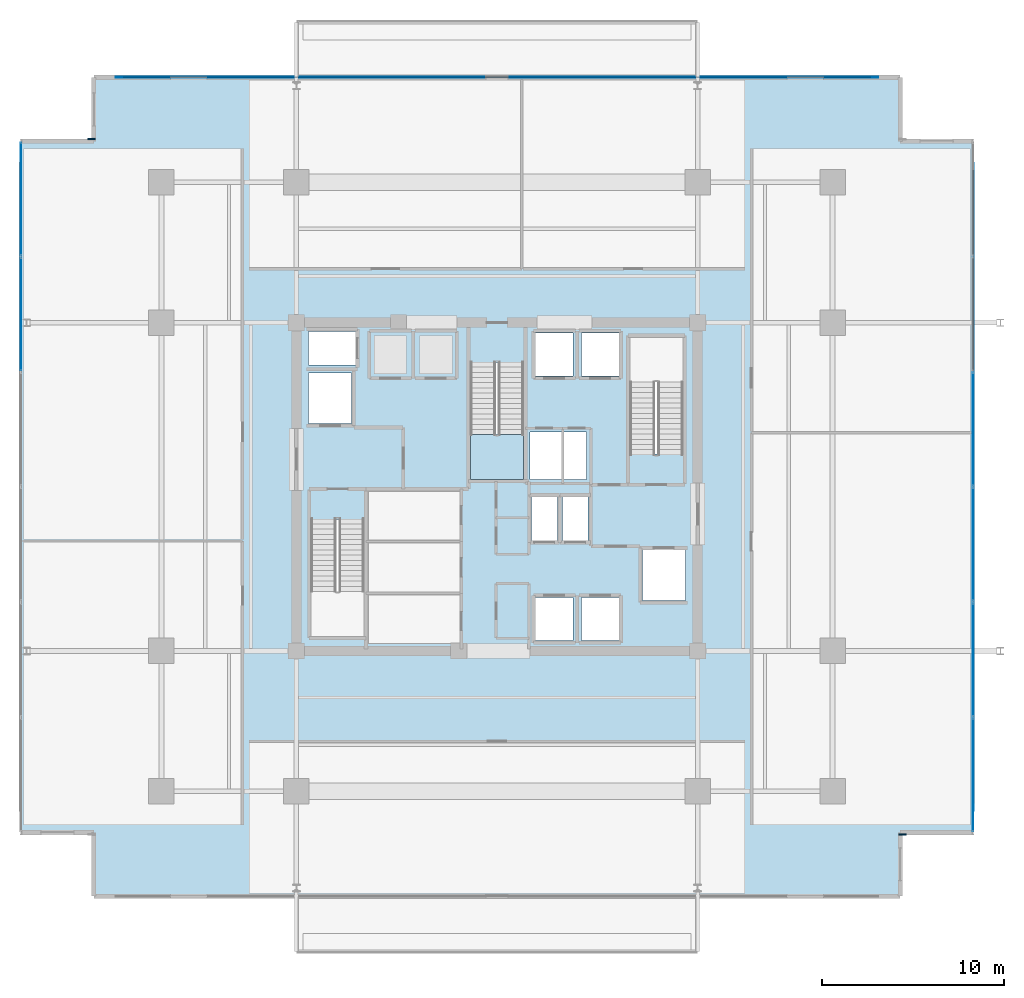
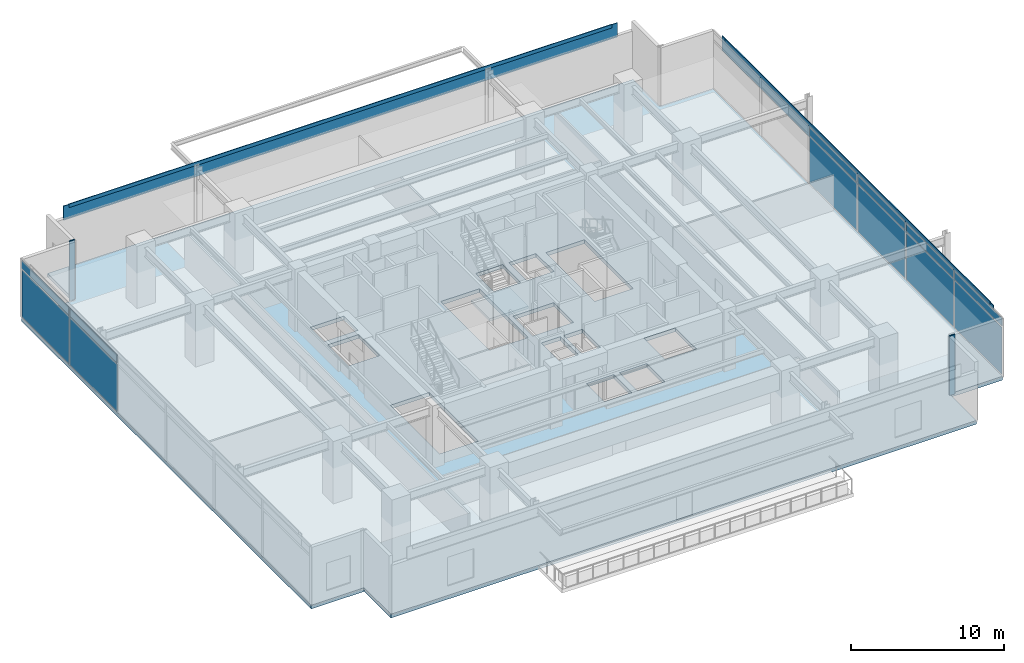
# One storey, part 14 of 25: 18 plates, 2 slabs, 3 elements without a shape of their own.
"""IFC4 building model written with IfcOpenShell, lengths in metres."""

from ifc_helpers import new_model, si_unit, direction, frame, origin, origin_2d, place, context, subcontext, project, spatial, polyline, rectangle, outline, extrude, material, layer, layer_set, type_object, element, aggregate, save


model = new_model("IFC4")

# Units and contexts
model_context = context("Model", 3, precision=1e-05, world=origin(), true_north=direction((0.0, 1.0)))
body_context = subcontext(model_context, "Body", "Model", "MODEL_VIEW")
ifc_project = project(units=[si_unit("LENGTHUNIT", "METRE"), si_unit("AREAUNIT", "SQUARE_METRE"), si_unit("VOLUMEUNIT", "CUBIC_METRE"), si_unit("PLANEANGLEUNIT", "RADIAN"), si_unit("MASSUNIT", "GRAM", prefix="KILO")], contexts=[model_context])

# Site, building, storey
site_placement = place(None, origin())
site = spatial("IfcSite", under=ifc_project, at=site_placement, CompositionType="ELEMENT")
building_placement = place(site_placement, origin())
building = spatial("IfcBuilding", under=site, at=building_placement, Name="Kovane Verandah Tower", CompositionType="ELEMENT")
storey_placement = place(building_placement, frame((0.0, 0.0, 233.199951171875)))
storey = spatial("IfcBuildingStorey", under=building, at=storey_placement, Name="L54", CompositionType="ELEMENT", Elevation=233.199951171875)

# Curtain wall, plates
ifc_material_1 = material(Name="Champagne Anodised Aluminium Frame with Low-E Clear Laminated Glass", Category="aluminium")
curtain_wall_type = type_object("IfcCurtainWallType", Name="CW-SYS-03-MID", PredefinedType="NOTDEFINED", material=ifc_material_1)
curtain_wall_1_placement = place(storey_placement, origin())
curtain_wall_1 = element("IfcCurtainWall", 1, at=curtain_wall_1_placement, inside=storey, type_object=curtain_wall_type, Name="L54 E Unitised Curtain Wall", PredefinedType="NOTDEFINED")
ifc_material_2 = material(Name="Pale Champagne Anodised Aluminium Insulated Spandrel", Category="aluminium")
ifc_layer_1 = layer(ifc_material_2, 0.0400390625)
ifc_layer_set_1 = layer_set([ifc_layer_1], Name="Pale Champagne Anodised Aluminium Insulated Spandrel")
plate_type_1 = type_object("IfcPlateType", Name="PL-CW-SPD-40", PredefinedType="SHEET", material=ifc_layer_set_1)
plate_1_placement = place(storey_placement, frame((66.107177734375, 11.708740234375, 3.97021484375), z_axis=(0.0, 0.0, 1.0), x_axis=(0.0, 1.0, 0.0)))
plate_1 = element("IfcPlate", 2, at=plate_1_placement, type_object=plate_type_1, Name="L54 E Unitised Curtain Wall Spandrel Panel 1", PredefinedType="SHEET", context=body_context, shape_type="SweptSolid", body=[
    extrude(rectangle(XDim=6.176513671875, YDim=0.0400390625, at=origin_2d()), origin(), (0.0, 0.0, 1.0), 0.639892578125),
])
plate_2_placement = place(storey_placement, frame((66.107177734375, 18.025146484375, 3.97021484375), z_axis=(0.0, 0.0, 1.0), x_axis=(0.0, 1.0, 0.0)))
plate_2 = element("IfcPlate", 3, at=plate_2_placement, type_object=plate_type_1, Name="L54 E Unitised Curtain Wall Spandrel Panel 2", PredefinedType="SHEET", context=body_context, shape_type="SweptSolid", body=[
    extrude(rectangle(XDim=6.176513671875, YDim=0.0400390625, at=origin_2d()), origin(), (0.0, 0.0, 1.0), 0.639892578125),
])
plate_3_placement = place(storey_placement, frame((66.107177734375, 24.341796875, 3.97021484375), z_axis=(0.0, 0.0, 1.0), x_axis=(0.0, 1.0, 0.0)))
plate_3 = element("IfcPlate", 4, at=plate_3_placement, type_object=plate_type_1, Name="L54 E Unitised Curtain Wall Spandrel Panel 3", PredefinedType="SHEET", context=body_context, shape_type="SweptSolid", body=[
    extrude(rectangle(XDim=6.176513671875, YDim=0.0400390625, at=origin_2d()), origin(), (0.0, 0.0, 1.0), 0.639892578125),
])
plate_4_placement = place(storey_placement, frame((66.107177734375, 30.658203125, 3.97021484375), z_axis=(0.0, 0.0, 1.0), x_axis=(0.0, 1.0, 0.0)))
plate_4 = element("IfcPlate", 5, at=plate_4_placement, type_object=plate_type_1, Name="L54 E Unitised Curtain Wall Spandrel Panel 4", PredefinedType="SHEET", context=body_context, shape_type="SweptSolid", body=[
    extrude(rectangle(XDim=6.176513671875, YDim=0.0400390625, at=origin_2d()), origin(), (0.0, 0.0, 1.0), 0.639892578125),
])

curtain_wall_2_placement = place(storey_placement, origin())
curtain_wall_2 = element("IfcCurtainWall", 6, at=curtain_wall_2_placement, inside=storey, type_object=curtain_wall_type, Name="L54 W Unitised Curtain Wall", PredefinedType="NOTDEFINED")
plate_5_placement = place(storey_placement, frame((13.892822265625, 43.291259765625, 3.97021484375), z_axis=(0.0, 0.0, 1.0), x_axis=(0.0, -1.0, 0.0)))
plate_5 = element("IfcPlate", 7, at=plate_5_placement, type_object=plate_type_1, Name="L54 W Unitised Curtain Wall Spandrel Panel 1", PredefinedType="SHEET", context=body_context, shape_type="SweptSolid", body=[
    extrude(rectangle(XDim=6.176513671875, YDim=0.0400390625, at=origin_2d()), origin(), (0.0, 0.0, 1.0), 0.639892578125),
])
plate_6_placement = place(storey_placement, frame((13.892822265625, 36.974853515625, 3.97021484375), z_axis=(0.0, 0.0, 1.0), x_axis=(0.0, -1.0, 0.0)))
plate_6 = element("IfcPlate", 8, at=plate_6_placement, type_object=plate_type_1, Name="L54 W Unitised Curtain Wall Spandrel Panel 2", PredefinedType="SHEET", context=body_context, shape_type="SweptSolid", body=[
    extrude(rectangle(XDim=6.176513671875, YDim=0.0400390625, at=origin_2d()), origin(), (0.0, 0.0, 1.0), 0.639892578125),
])

# Plate
ifc_material_3 = material(Name="Clear Low-E Laminated Double Glazing", Category="glass")
ifc_layer_2 = layer(ifc_material_3, 0.031982421875)
ifc_layer_set_2 = layer_set([ifc_layer_2], Name="Clear Low-E Laminated Double Glazing")
plate_type_2 = type_object("IfcPlateType", Name="PL-CW-VIS-32", PredefinedType="CURTAIN_PANEL", material=ifc_layer_set_2)
plate_7_placement = place(storey_placement, frame((66.107177734375, 11.708740234375, 0.10009765625), z_axis=(0.0, 0.0, 1.0), x_axis=(0.0, 1.0, 0.0)))
plate_7 = element("IfcPlate", 9, at=plate_7_placement, type_object=plate_type_2, Name="L54 E Unitised Curtain Wall Vision Panel 1", PredefinedType="CURTAIN_PANEL", context=body_context, shape_type="SweptSolid", body=[
    extrude(rectangle(XDim=6.176513671875, YDim=0.031982421875, at=origin_2d()), origin(), (0.0, 0.0, 1.0), 3.77001953125),
])

plate_8_placement = place(storey_placement, frame((66.107177734375, 18.025146484375, 0.10009765625), z_axis=(0.0, 0.0, 1.0), x_axis=(0.0, 1.0, 0.0)))
plate_8 = element("IfcPlate", 10, at=plate_8_placement, type_object=plate_type_2, Name="L54 E Unitised Curtain Wall Vision Panel 2", PredefinedType="CURTAIN_PANEL", context=body_context, shape_type="SweptSolid", body=[
    extrude(rectangle(XDim=6.176513671875, YDim=0.031982421875, at=origin_2d()), origin(), (0.0, 0.0, 1.0), 3.77001953125),
])

plate_9_placement = place(storey_placement, frame((66.107177734375, 24.341796875, 0.10009765625), z_axis=(0.0, 0.0, 1.0), x_axis=(0.0, 1.0, 0.0)))
plate_9 = element("IfcPlate", 11, at=plate_9_placement, type_object=plate_type_2, Name="L54 E Unitised Curtain Wall Vision Panel 3", PredefinedType="CURTAIN_PANEL", context=body_context, shape_type="SweptSolid", body=[
    extrude(rectangle(XDim=6.176513671875, YDim=0.031982421875, at=origin_2d()), origin(), (0.0, 0.0, 1.0), 3.77001953125),
])

plate_10_placement = place(storey_placement, frame((66.107177734375, 30.658203125, 0.10009765625), z_axis=(0.0, 0.0, 1.0), x_axis=(0.0, 1.0, 0.0)))
plate_10 = element("IfcPlate", 12, at=plate_10_placement, type_object=plate_type_2, Name="L54 E Unitised Curtain Wall Vision Panel 4", PredefinedType="CURTAIN_PANEL", context=body_context, shape_type="SweptSolid", body=[
    extrude(rectangle(XDim=6.176513671875, YDim=0.031982421875, at=origin_2d()), origin(), (0.0, 0.0, 1.0), 3.77001953125),
])

aggregate(curtain_wall_1, [plate_7, plate_1, plate_8, plate_2, plate_9, plate_3, plate_10, plate_4])

plate_11_placement = place(storey_placement, frame((13.892822265625, 43.291259765625, 0.10009765625), z_axis=(0.0, 0.0, 1.0), x_axis=(0.0, -1.0, 0.0)))
plate_11 = element("IfcPlate", 13, at=plate_11_placement, type_object=plate_type_2, Name="L54 W Unitised Curtain Wall Vision Panel 1", PredefinedType="CURTAIN_PANEL", context=body_context, shape_type="SweptSolid", body=[
    extrude(rectangle(XDim=6.176513671875, YDim=0.031982421875, at=origin_2d()), origin(), (0.0, 0.0, 1.0), 3.77001953125),
])

plate_12_placement = place(storey_placement, frame((13.892822265625, 36.974853515625, 0.10009765625), z_axis=(0.0, 0.0, 1.0), x_axis=(0.0, -1.0, 0.0)))
plate_12 = element("IfcPlate", 14, at=plate_12_placement, type_object=plate_type_2, Name="L54 W Unitised Curtain Wall Vision Panel 2", PredefinedType="CURTAIN_PANEL", context=body_context, shape_type="SweptSolid", body=[
    extrude(rectangle(XDim=6.176513671875, YDim=0.031982421875, at=origin_2d()), origin(), (0.0, 0.0, 1.0), 3.77001953125),
])

aggregate(curtain_wall_2, [plate_11, plate_5, plate_12, plate_6])

# Plates
ifc_material_4 = material(Name="Timber-Toned Subtropical Aluminium Vertical Blade", Category="wood")
ifc_layer_3 = layer(ifc_material_4, 0.090087890625)
ifc_layer_set_3 = layer_set([ifc_layer_3], Name="Timber-Toned Subtropical Aluminium Vertical Blade")
plate_type_3 = type_object("IfcPlateType", Name="PL-FIN-90", PredefinedType="USERDEFINED", material=ifc_layer_set_3)
for number, where, z_axis, x_axis, name in (
    (15, (62.227294921875, 8.430419921875, -0.02001953125), (0.0, 0.0, 1.0), (1.0, 0.0, 0.0), "L54 SE Timber-Toned Vertical Corner Fin"),
    (16, (17.772705078125, 46.569580078125, -0.02001953125), (0.0, 0.0, 1.0), (1.0, 0.0, 0.0), "L54 NW Timber-Toned Vertical Corner Fin"),
):
    element("IfcPlate", number, at=place(storey_placement, frame(where, z_axis=z_axis, x_axis=x_axis)), inside=storey, type_object=plate_type_3, Name=name, ObjectType="FIN", PredefinedType="USERDEFINED", context=body_context, shape_type="SweptSolid", body=[
        extrude(rectangle(XDim=0.419921875, YDim=0.090087890625, at=origin_2d()), origin(), (0.0, 0.0, 1.0), 4.760009765625),
    ])
ifc_material_5 = material(Name="Perforated Pale Champagne Anodised Aluminium Solar Screen", Category="aluminium")
ifc_layer_4 = layer(ifc_material_5, 0.050048828125)
ifc_layer_set_4 = layer_set([ifc_layer_4], Name="Perforated Pale Champagne Anodised Aluminium Solar Screen")
plate_type_4 = type_object("IfcPlateType", Name="PL-SCREEN-50", PredefinedType="USERDEFINED", material=ifc_layer_set_4)
plate_13_placement = place(storey_placement, frame((66.122314453125, 27.5, 3.800048828125), z_axis=(0.0, 0.0, 1.0), x_axis=(0.0, 1.0, 0.0)))
element("IfcPlate", 17, at=plate_13_placement, inside=storey, type_object=plate_type_4, Name="L54 E Perforated Champagne-Gold Solar Screen", ObjectType="SCREEN", PredefinedType="USERDEFINED", context=body_context, shape_type="SweptSolid", body=[
    extrude(rectangle(XDim=35.4990234375, YDim=0.050048828125, at=origin_2d()), origin(), (0.0, 0.0, 1.0), 1.14990234375),
])
plate_14_placement = place(storey_placement, frame((40.0, 49.964599609375, 3.800048828125), z_axis=(0.0, 0.0, 1.0), x_axis=(-1.0, 0.0, 0.0)))
element("IfcPlate", 18, at=plate_14_placement, inside=storey, type_object=plate_type_4, Name="L54 N Perforated Champagne-Gold Solar Screen", ObjectType="SCREEN", PredefinedType="USERDEFINED", context=body_context, shape_type="SweptSolid", body=[
    extrude(rectangle(XDim=41.81396484375, YDim=0.050048828125, at=origin_2d()), origin(), (0.0, 0.0, 1.0), 1.14990234375),
])
ifc_material_6 = material(Name="Extruded Pale-Bronze Aluminium Aerofoil Sunshade", Category="aluminium")
ifc_layer_5 = layer(ifc_material_6, 0.06005859375)
ifc_layer_set_5 = layer_set([ifc_layer_5], Name="Extruded Pale-Bronze Aluminium Aerofoil Sunshade")
plate_type_5 = type_object("IfcPlateType", Name="PL-SUNSHADE-60", PredefinedType="USERDEFINED", material=ifc_layer_set_5)
plate_15_placement = place(storey_placement, frame((66.127197265625, 27.5, 4.68017578125), z_axis=(0.0, 0.0, 1.0), x_axis=(0.0, 1.0, 0.0)))
element("IfcPlate", 19, at=plate_15_placement, inside=storey, type_object=plate_type_5, Name="L54 E Subtropical Aerofoil Sunshade", ObjectType="SUNSHADE", PredefinedType="USERDEFINED", context=body_context, shape_type="SweptSolid", body=[
    extrude(rectangle(XDim=34.698974609375, YDim=0.06005859375, at=origin_2d()), origin(), (0.0, 0.0, 1.0), 0.280029296875),
])
plate_16_placement = place(storey_placement, frame((40.0, 49.969482421875, 4.68017578125), z_axis=(0.0, 0.0, 1.0), x_axis=(-1.0, 0.0, 0.0)))
element("IfcPlate", 20, at=plate_16_placement, inside=storey, type_object=plate_type_5, Name="L54 N Subtropical Aerofoil Sunshade", ObjectType="SUNSHADE", PredefinedType="USERDEFINED", context=body_context, shape_type="SweptSolid", body=[
    extrude(rectangle(XDim=41.013916015625, YDim=0.06005859375, at=origin_2d()), origin(), (0.0, 0.0, 1.0), 0.280029296875),
])

# Slab
ifc_material_7 = material(Name="Concrete C60/75", Category="concrete")
ifc_layer_6 = layer(ifc_material_7, 0.300048828125)
ifc_layer_set_6 = layer_set([ifc_layer_6], Name="Concrete C60/75")
slab_type_1 = type_object("IfcSlabType", Name="SL-HVY-300", PredefinedType="FLOOR", material=ifc_layer_set_6)
slab_1_placement = place(storey_placement, frame((0.0, 0.0, -0.300048828125)))
element("IfcSlab", 21, at=slab_1_placement, inside=storey, type_object=slab_type_1, Name="L54 Structural Floor Slab", PredefinedType="FLOOR", context=body_context, shape_type="SweptSolid", body=[
    extrude(outline(polyline([(17.892822265625, 5.05029296875), (62.107177734375, 5.05029296875), (62.107177734375, 8.55029296875), (66.107177734375, 8.55029296875), (66.107177734375, 46.44970703125), (62.107177734375, 46.44970703125), (62.107177734375, 49.94970703125), (17.892822265625, 49.94970703125), (17.892822265625, 46.44970703125), (13.892822265625, 46.44970703125), (13.892822265625, 8.55029296875), (17.892822265625, 8.55029296875), (17.892822265625, 5.05029296875)]), holes=[polyline([(29.800048828125, 19.300048828125), (32.719970703125, 19.300048828125), (32.719970703125, 25.705078125), (29.800048828125, 25.705078125), (29.800048828125, 19.300048828125)]), polyline([(47.280029296875, 29.294921875), (50.199951171875, 29.294921875), (50.199951171875, 35.699951171875), (47.280029296875, 35.699951171875), (47.280029296875, 29.294921875)]), polyline([(38.5400390625, 27.89990234375), (41.4599609375, 27.89990234375), (41.4599609375, 34.304931640625), (38.5400390625, 34.304931640625), (38.5400390625, 27.89990234375)]), polyline([(29.669921875, 30.969970703125), (32.030029296875, 30.969970703125), (32.030029296875, 33.72998046875), (29.669921875, 33.72998046875), (29.669921875, 30.969970703125)]), polyline([(47.969970703125, 21.27001953125), (50.330078125, 21.27001953125), (50.330078125, 24.030029296875), (47.969970703125, 24.030029296875), (47.969970703125, 21.27001953125)]), polyline([(29.669921875, 34.169921875), (32.22998046875, 34.169921875), (32.22998046875, 36.030029296875), (29.669921875, 36.030029296875), (29.669921875, 34.169921875)]), polyline([(42.1201171875, 19.070068359375), (44.179931640625, 19.070068359375), (44.179931640625, 21.429931640625), (42.1201171875, 21.429931640625), (42.1201171875, 19.070068359375)]), polyline([(44.6201171875, 19.070068359375), (46.679931640625, 19.070068359375), (46.679931640625, 21.429931640625), (44.6201171875, 21.429931640625), (44.6201171875, 19.070068359375)]), polyline([(41.8798828125, 24.570068359375), (43.320068359375, 24.570068359375), (43.320068359375, 26.929931640625), (41.8798828125, 26.929931640625), (41.8798828125, 24.570068359375)]), polyline([(43.580078125, 24.570068359375), (45.0, 24.570068359375), (45.0, 26.929931640625), (43.580078125, 26.929931640625), (43.580078125, 24.570068359375)]), polyline([(42.1201171875, 33.570068359375), (44.179931640625, 33.570068359375), (44.179931640625, 35.929931640625), (42.1201171875, 35.929931640625), (42.1201171875, 33.570068359375)]), polyline([(44.6201171875, 33.570068359375), (46.679931640625, 33.570068359375), (46.679931640625, 35.929931640625), (44.6201171875, 35.929931640625), (44.6201171875, 33.570068359375)]), polyline([(41.800048828125, 27.89990234375), (44.89990234375, 27.89990234375), (44.89990234375, 30.5), (41.800048828125, 30.5), (41.800048828125, 27.89990234375)])]), origin(), (0.0, 0.0, 1.0), 0.300048828125),
])

# Stair, slab
ifc_material_8 = material(Name="Concrete C45/55", Category="concrete")
stair_type = type_object("IfcStairType", Name="ST-CORE-1380", PredefinedType="HALF_TURN_STAIR", material=ifc_material_8)
stair_placement = place(storey_placement, origin())
stair = element("IfcStair", 22, at=stair_placement, inside=storey, type_object=stair_type, Name="L54 Exit Stair ST-03", PredefinedType="HALF_TURN_STAIR")
ifc_layer_7 = layer(ifc_material_8, 0.199951171875)
ifc_layer_set_7 = layer_set([ifc_layer_7], Name="Concrete C45/55")
slab_type_2 = type_object("IfcSlabType", Name="SL-LAND-200", PredefinedType="LANDING", material=ifc_layer_set_7)
slab_2_placement = place(storey_placement, frame((0.0, 0.0, 2.300048828125)))
slab_2 = element("IfcSlab", 23, at=slab_2_placement, type_object=slab_type_2, Name="ST-03 landing 1", PredefinedType="LANDING", context=body_context, shape_type="SweptSolid", body=[
    extrude(outline(polyline([(38.5400390625, 30.360107421875), (38.5400390625, 27.89990234375), (41.4599609375, 27.89990234375), (41.4599609375, 30.360107421875), (38.5400390625, 30.360107421875)])), origin(), (0.0, 0.0, 1.0), 0.199951171875),
])
aggregate(stair, [slab_2])

save(model, "model.ifc")
